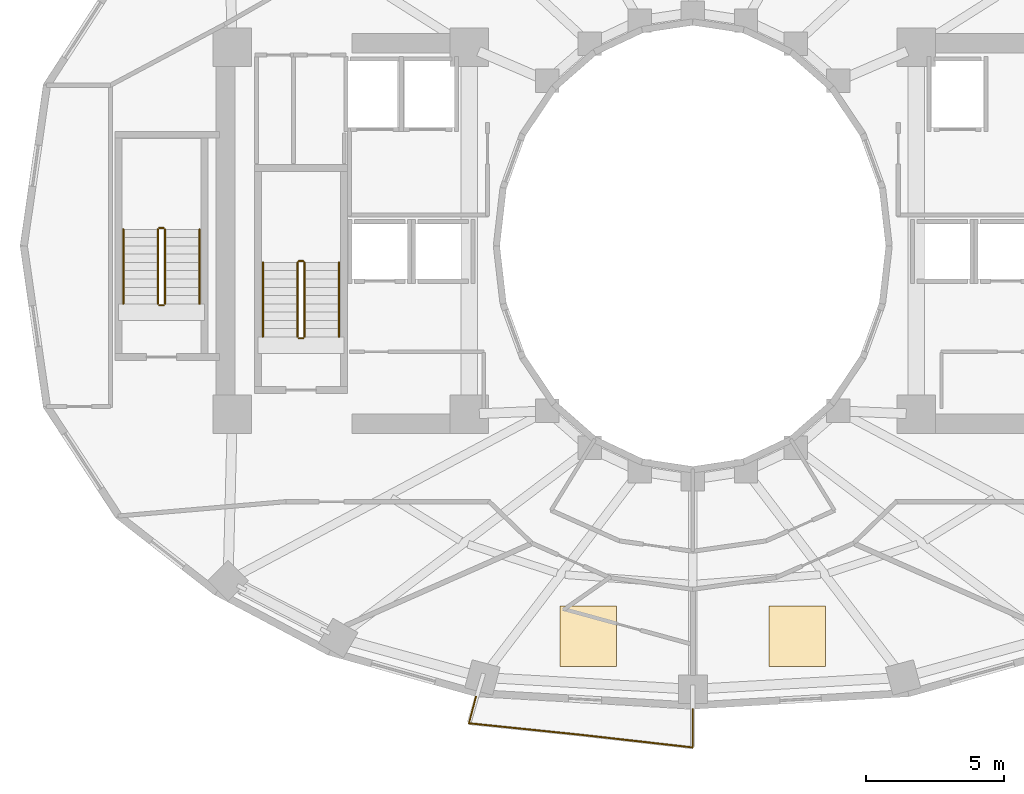
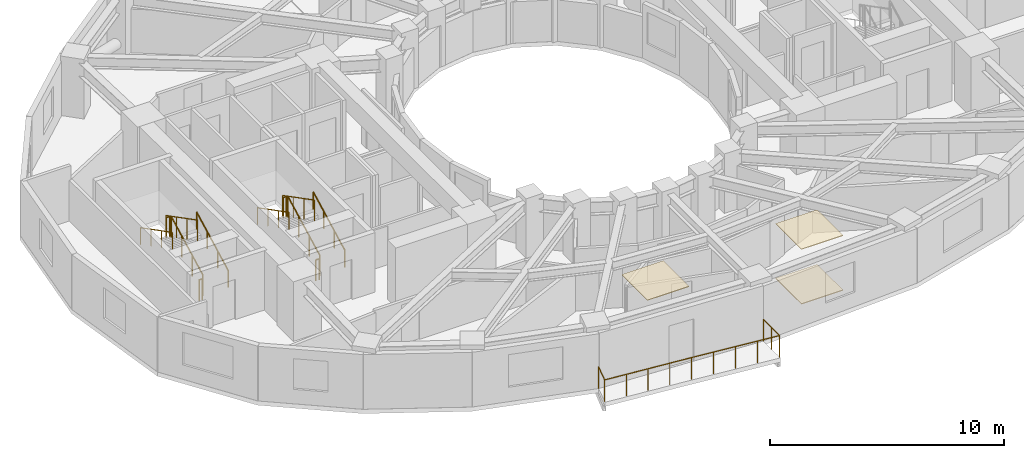
# One storey, part 8 of 9: 13 railings, 3 coverings.
"""IFC4 building model written with IfcOpenShell, lengths in metres."""

from ifc_helpers import new_model, si_unit, direction, frame, origin, origin_2d, place, context, subcontext, project, spatial, polyline, circle, outline, extrude, material, layer, layer_set, type_object, element, save


model = new_model("IFC4")

# Units and contexts
model_context = context("Model", 3, precision=1e-05, world=origin(), true_north=direction((0.0, 1.0)))
body_context = subcontext(model_context, "Body", "Model", "MODEL_VIEW")
ifc_project = project(units=[si_unit("LENGTHUNIT", "METRE"), si_unit("AREAUNIT", "SQUARE_METRE"), si_unit("VOLUMEUNIT", "CUBIC_METRE"), si_unit("PLANEANGLEUNIT", "RADIAN"), si_unit("MASSUNIT", "GRAM", prefix="KILO")], contexts=[model_context])

# Site, building, storey
site_placement = place(None, origin())
site = spatial("IfcSite", under=ifc_project, at=site_placement, CompositionType="ELEMENT")
building_placement = place(site_placement, origin())
building = spatial("IfcBuilding", under=site, at=building_placement, Name="Solvane Sanctuary Tower", CompositionType="ELEMENT")
storey_placement = place(building_placement, frame((0.0, 0.0, 116.60009765625)))
storey = spatial("IfcBuildingStorey", under=building, at=storey_placement, Name="L35", CompositionType="ELEMENT", Elevation=116.60009765625)

# Coverings
ifc_material_1 = material(Name="Acoustic Gypsum Partition Board")
ifc_layer_1 = layer(ifc_material_1, 0.02490234375, Name="Acoustic Gypsum Partition Board")
ifc_layer_set_1 = layer_set([ifc_layer_1], Name="Acoustic Gypsum Partition Board")
covering_type_1 = type_object("IfcCoveringType", Name="Covering CLG-ACOUST", PredefinedType="CEILING", material=ifc_layer_set_1)
covering_1_placement = place(storey_placement, frame((0.0, 0.0, 2.849853515625)))
element("IfcCovering", 1, at=covering_1_placement, inside=storey, type_object=covering_type_1, Name="L35 Unit Acoustic Ceiling Panel 3", PredefinedType="CEILING", context=body_context, shape_type="SweptSolid", body=[
    extrude(outline(polyline([(27.18310546875, 7.7490234375), (29.23291015625, 7.7490234375), (29.23291015625, 9.948974609375), (27.18310546875, 9.948974609375), (27.18310546875, 7.7490234375)])), origin(), (0.0, 0.0, 1.0), 0.030029296875),
])
covering_2_placement = place(storey_placement, frame((0.0, 0.0, 2.849853515625)))
element("IfcCovering", 2, at=covering_2_placement, inside=storey, type_object=covering_type_1, Name="L35 Unit Acoustic Ceiling Panel 4", PredefinedType="CEILING", context=body_context, shape_type="SweptSolid", body=[
    extrude(outline(polyline([(34.76708984375, 7.7490234375), (36.81689453125, 7.7490234375), (36.81689453125, 9.948974609375), (34.76708984375, 9.948974609375), (34.76708984375, 7.7490234375)])), origin(), (0.0, 0.0, 1.0), 0.030029296875),
])
ifc_material_2 = material(Name="Ceramic Tile Finish")
ifc_layer_2 = layer(ifc_material_2, 0.030029296875, Name="Ceramic Tile Finish")
ifc_layer_set_2 = layer_set([ifc_layer_2], Name="Ceramic Tile Finish")
covering_type_2 = type_object("IfcCoveringType", Name="Covering FLR-TERRAZZO", PredefinedType="FLOORING", material=ifc_layer_set_2)
covering_3_placement = place(storey_placement, origin())
element("IfcCovering", 3, at=covering_3_placement, inside=storey, type_object=covering_type_2, Name="L35 Unit Terrazzo Inlay 4", PredefinedType="FLOORING", context=body_context, shape_type="SweptSolid", body=[
    extrude(outline(polyline([(34.76708984375, 7.7490234375), (36.81689453125, 7.7490234375), (36.81689453125, 9.948974609375), (34.76708984375, 9.948974609375), (34.76708984375, 7.7490234375)])), origin(), (0.0, 0.0, 1.0), 0.034912109375),
])

# Railings
ifc_material_3 = material(Name="Architectural Stainless Steel 316", Category="steel")
railing_type_1 = type_object("IfcRailingType", Name="Railing GR-BALC-1150", PredefinedType="BALUSTRADE", material=ifc_material_3)
railing_1_placement = place(storey_placement, frame((24.138671875, 6.652587890625, 0.0)))
element("IfcRailing", 4, at=railing_1_placement, inside=storey, type_object=railing_type_1, Name="L35 Wave Balcony Balustrade SC", PredefinedType="BALUSTRADE", context=body_context, shape_type="SweptSolid", body=[
    extrude(circle(Radius=0.02392578125, at=origin_2d()), frame((0.0, 0.0, 1.1259765625), z_axis=(-0.258984165501, -0.965881567284, 0.0), x_axis=(0.965881567284, -0.258984165501, 0.0)), (0.0, 0.0, 1.0), 1.000244140625),
    extrude(circle(Radius=0.02392578125, at=origin_2d()), frame((-0.259033203125, -0.966064453125, 1.1259765625), z_axis=(0.994758245293, -0.102254747672, 0.0), x_axis=(0.102254747672, 0.994758245293, 0.0)), (0.0, 0.0, 1.0), 4.058837890625),
    extrude(circle(Radius=0.02392578125, at=origin_2d()), frame((3.778564453125, -1.381103515625, 1.1259765625), z_axis=(0.993674003622, -0.11230304771, 0.0), x_axis=(0.11230304771, 0.993674003622, 0.0)), (0.0, 0.0, 1.0), 4.108642578125),
    extrude(circle(Radius=0.02392578125, at=origin_2d()), frame((7.861328125, -1.842529296875, 1.1259765625), z_axis=(0.0, 1.0, 0.0), x_axis=(-1.0, 0.0, 0.0)), (0.0, 0.0, 1.0), 1.389892578125),
    extrude(circle(Radius=0.02099609375, at=origin_2d()), origin(), (0.0, 0.0, 1.0), 1.101806640625),
    extrude(circle(Radius=0.02099609375, at=origin_2d()), frame((-0.259033203125, -0.966064453125, 0.0)), (0.0, 0.0, 1.0), 1.101806640625),
    extrude(circle(Radius=0.02099609375, at=origin_2d()), frame((0.75048828125, -1.06982421875, 0.0)), (0.0, 0.0, 1.0), 1.101806640625),
    extrude(circle(Radius=0.02099609375, at=origin_2d()), frame((1.759765625, -1.173583984375, 0.0)), (0.0, 0.0, 1.0), 1.101806640625),
    extrude(circle(Radius=0.02099609375, at=origin_2d()), frame((2.76904296875, -1.27734375, 0.0)), (0.0, 0.0, 1.0), 1.101806640625),
    extrude(circle(Radius=0.02099609375, at=origin_2d()), frame((3.778564453125, -1.381103515625, 0.0)), (0.0, 0.0, 1.0), 1.101806640625),
    extrude(circle(Radius=0.02099609375, at=origin_2d()), frame((4.79931640625, -1.49658203125, 0.0)), (0.0, 0.0, 1.0), 1.101806640625),
    extrude(circle(Radius=0.02099609375, at=origin_2d()), frame((5.81982421875, -1.61181640625, 0.0)), (0.0, 0.0, 1.0), 1.101806640625),
    extrude(circle(Radius=0.02099609375, at=origin_2d()), frame((6.840576171875, -1.72705078125, 0.0)), (0.0, 0.0, 1.0), 1.101806640625),
    extrude(circle(Radius=0.02099609375, at=origin_2d()), frame((7.861328125, -1.842529296875, 0.0)), (0.0, 0.0, 1.0), 1.101806640625),
    extrude(circle(Radius=0.02099609375, at=origin_2d()), frame((7.861328125, -1.1474609375, 0.0)), (0.0, 0.0, 1.0), 1.101806640625),
    extrude(circle(Radius=0.02099609375, at=origin_2d()), frame((7.861328125, -0.45263671875, 0.0)), (0.0, 0.0, 1.0), 1.101806640625),
])
railing_2_placement = place(storey_placement, frame((17.919921875, 19.699951171875, 0.15478515625)))
element("IfcRailing", 5, at=railing_2_placement, inside=storey, type_object=railing_type_1, Name="L35 ST-1 stair guard 1", PredefinedType="BALUSTRADE", context=body_context, shape_type="SweptSolid", body=[
    extrude(circle(Radius=0.02392578125, at=origin_2d()), frame((0.0, 0.0, 1.076171875), z_axis=(0.0, 0.888419900624, 0.459031676658), x_axis=(-1.0, 0.0, 0.0)), (0.0, 0.0, 1.0), 3.0390625),
    extrude(circle(Radius=0.02099609375, at=origin_2d()), origin(), (0.0, 0.0, 1.0), 1.052001953125),
    extrude(circle(Radius=0.02099609375, at=origin_2d()), frame((0.0, 0.89990234375, 0.465087890625)), (0.0, 0.0, 1.0), 1.052001953125),
    extrude(circle(Radius=0.02099609375, at=origin_2d()), frame((0.0, 1.800048828125, 0.929931640625)), (0.0, 0.0, 1.0), 1.052001953125),
    extrude(circle(Radius=0.02099609375, at=origin_2d()), frame((0.0, 2.699951171875, 1.39501953125)), (0.0, 0.0, 1.0), 1.052001953125),
])
railing_3_placement = place(storey_placement, frame((17.8701171875, 22.449951171875, 1.5498046875)))
element("IfcRailing", 6, at=railing_3_placement, inside=storey, type_object=railing_type_1, Name="L35 ST-1 stair guard 2", PredefinedType="BALUSTRADE", context=body_context, shape_type="SweptSolid", body=[
    extrude(circle(Radius=0.02392578125, at=origin_2d()), frame((0.0, 0.0, 1.076171875), z_axis=(-1.0, 0.0, 0.0), x_axis=(0.0, -1.0, 0.0)), (0.0, 0.0, 1.0), 0.16015625),
    extrude(circle(Radius=0.02099609375, at=origin_2d()), origin(), (0.0, 0.0, 1.0), 1.052001953125),
    extrude(circle(Radius=0.02099609375, at=origin_2d()), frame((-0.16015625, 0.0, 0.0)), (0.0, 0.0, 1.0), 1.052001953125),
])
railing_4_placement = place(storey_placement, frame((17.659912109375, 22.39990234375, 1.704833984375)))
element("IfcRailing", 7, at=railing_4_placement, inside=storey, type_object=railing_type_1, Name="L35 ST-1 stair guard 3", PredefinedType="BALUSTRADE", context=body_context, shape_type="SweptSolid", body=[
    extrude(circle(Radius=0.02392578125, at=origin_2d()), frame((0.0, 0.0, 1.076171875), z_axis=(0.0, -0.888419900624, 0.459031676658), x_axis=(1.0, 0.0, 0.0)), (0.0, 0.0, 1.0), 3.0390625),
    extrude(circle(Radius=0.02099609375, at=origin_2d()), origin(), (0.0, 0.0, 1.0), 1.052001953125),
    extrude(circle(Radius=0.02099609375, at=origin_2d()), frame((0.0, -0.89990234375, 0.465087890625)), (0.0, 0.0, 1.0), 1.052001953125),
    extrude(circle(Radius=0.02099609375, at=origin_2d()), frame((0.0, -1.800048828125, 0.929931640625)), (0.0, 0.0, 1.0), 1.052001953125),
    extrude(circle(Radius=0.02099609375, at=origin_2d()), frame((0.0, -2.699951171875, 1.39501953125)), (0.0, 0.0, 1.0), 1.052001953125),
])
railing_5_placement = place(storey_placement, frame((17.8701171875, 19.64990234375, 0.0)))
element("IfcRailing", 8, at=railing_5_placement, inside=storey, type_object=railing_type_1, Name="L35 ST-1 stair guard 4", PredefinedType="BALUSTRADE", context=body_context, shape_type="SweptSolid", body=[
    extrude(circle(Radius=0.02392578125, at=origin_2d()), frame((0.0, 0.0, 1.076171875), z_axis=(-1.0, 0.0, 0.0), x_axis=(0.0, -1.0, 0.0)), (0.0, 0.0, 1.0), 0.16015625),
    extrude(circle(Radius=0.02099609375, at=origin_2d()), origin(), (0.0, 0.0, 1.0), 1.052001953125),
    extrude(circle(Radius=0.02099609375, at=origin_2d()), frame((-0.16015625, 0.0, 0.0)), (0.0, 0.0, 1.0), 1.052001953125),
])
railing_6_placement = place(storey_placement, frame((12.860107421875, 20.89990234375, 0.15478515625)))
element("IfcRailing", 9, at=railing_6_placement, inside=storey, type_object=railing_type_1, Name="L35 ST-3 stair guard 1", PredefinedType="BALUSTRADE", context=body_context, shape_type="SweptSolid", body=[
    extrude(circle(Radius=0.02392578125, at=origin_2d()), frame((0.0, 0.0, 1.076171875), z_axis=(0.0, 0.888436826113, 0.458998917216), x_axis=(-1.0, 0.0, 0.0)), (0.0, 0.0, 1.0), 3.039306640625),
    extrude(circle(Radius=0.02099609375, at=origin_2d()), origin(), (0.0, 0.0, 1.0), 1.052001953125),
    extrude(circle(Radius=0.02099609375, at=origin_2d()), frame((0.0, 0.900146484375, 0.465087890625)), (0.0, 0.0, 1.0), 1.052001953125),
    extrude(circle(Radius=0.02099609375, at=origin_2d()), frame((0.0, 1.800048828125, 0.929931640625)), (0.0, 0.0, 1.0), 1.052001953125),
    extrude(circle(Radius=0.02099609375, at=origin_2d()), frame((0.0, 2.7001953125, 1.39501953125)), (0.0, 0.0, 1.0), 1.052001953125),
])
railing_7_placement = place(storey_placement, frame((12.81005859375, 23.64990234375, 1.5498046875)))
element("IfcRailing", 10, at=railing_7_placement, inside=storey, type_object=railing_type_1, Name="L35 ST-3 stair guard 2", PredefinedType="BALUSTRADE", context=body_context, shape_type="SweptSolid", body=[
    extrude(circle(Radius=0.02392578125, at=origin_2d()), frame((0.0, 0.0, 1.076171875), z_axis=(-1.0, 0.0, 0.0), x_axis=(0.0, -1.0, 0.0)), (0.0, 0.0, 1.0), 0.16015625),
    extrude(circle(Radius=0.02099609375, at=origin_2d()), origin(), (0.0, 0.0, 1.0), 1.052001953125),
    extrude(circle(Radius=0.02099609375, at=origin_2d()), frame((-0.16015625, 0.0, 0.0)), (0.0, 0.0, 1.0), 1.052001953125),
])
railing_8_placement = place(storey_placement, frame((12.60009765625, 23.60009765625, 1.704833984375)))
element("IfcRailing", 11, at=railing_8_placement, inside=storey, type_object=railing_type_1, Name="L35 ST-3 stair guard 3", PredefinedType="BALUSTRADE", context=body_context, shape_type="SweptSolid", body=[
    extrude(circle(Radius=0.02392578125, at=origin_2d()), frame((0.0, 0.0, 1.076171875), z_axis=(0.0, -0.888436826113, 0.458998917216), x_axis=(1.0, 0.0, 0.0)), (0.0, 0.0, 1.0), 3.039306640625),
    extrude(circle(Radius=0.02099609375, at=origin_2d()), origin(), (0.0, 0.0, 1.0), 1.052001953125),
    extrude(circle(Radius=0.02099609375, at=origin_2d()), frame((0.0, -0.900146484375, 0.465087890625)), (0.0, 0.0, 1.0), 1.052001953125),
    extrude(circle(Radius=0.02099609375, at=origin_2d()), frame((0.0, -1.800048828125, 0.929931640625)), (0.0, 0.0, 1.0), 1.052001953125),
    extrude(circle(Radius=0.02099609375, at=origin_2d()), frame((0.0, -2.7001953125, 1.39501953125)), (0.0, 0.0, 1.0), 1.052001953125),
])
railing_9_placement = place(storey_placement, frame((12.81005859375, 20.85009765625, 0.0)))
element("IfcRailing", 12, at=railing_9_placement, inside=storey, type_object=railing_type_1, Name="L35 ST-3 stair guard 4", PredefinedType="BALUSTRADE", context=body_context, shape_type="SweptSolid", body=[
    extrude(circle(Radius=0.02392578125, at=origin_2d()), frame((0.0, 0.0, 1.076171875), z_axis=(-1.0, 0.0, 0.0), x_axis=(0.0, -1.0, 0.0)), (0.0, 0.0, 1.0), 0.16015625),
    extrude(circle(Radius=0.02099609375, at=origin_2d()), origin(), (0.0, 0.0, 1.0), 1.052001953125),
    extrude(circle(Radius=0.02099609375, at=origin_2d()), frame((-0.16015625, 0.0, 0.0)), (0.0, 0.0, 1.0), 1.052001953125),
])
railing_type_2 = type_object("IfcRailingType", Name="Railing HR-STAIR-920", PredefinedType="HANDRAIL", material=ifc_material_3)
railing_10_placement = place(storey_placement, frame((19.169921875, 19.699951171875, 0.15478515625)))
element("IfcRailing", 13, at=railing_10_placement, inside=storey, type_object=railing_type_2, Name="L35 ST-1 stair handrail 1", PredefinedType="HANDRAIL", context=body_context, shape_type="SweptSolid", body=[
    extrude(circle(Radius=0.02392578125, at=origin_2d()), frame((0.0, 0.0, 0.8759765625), z_axis=(0.0, 0.888419900624, 0.459031676658), x_axis=(-1.0, 0.0, 0.0)), (0.0, 0.0, 1.0), 3.0390625),
    extrude(circle(Radius=0.02099609375, at=origin_2d()), origin(), (0.0, 0.0, 1.0), 0.851806640625),
    extrude(circle(Radius=0.02099609375, at=origin_2d()), frame((0.0, 0.89990234375, 0.465087890625)), (0.0, 0.0, 1.0), 0.851806640625),
    extrude(circle(Radius=0.02099609375, at=origin_2d()), frame((0.0, 1.800048828125, 0.929931640625)), (0.0, 0.0, 1.0), 0.851806640625),
    extrude(circle(Radius=0.02099609375, at=origin_2d()), frame((0.0, 2.699951171875, 1.39501953125)), (0.0, 0.0, 1.0), 0.851806640625),
])
railing_11_placement = place(storey_placement, frame((16.409912109375, 22.39990234375, 1.704833984375)))
element("IfcRailing", 14, at=railing_11_placement, inside=storey, type_object=railing_type_2, Name="L35 ST-1 stair handrail 2", PredefinedType="HANDRAIL", context=body_context, shape_type="SweptSolid", body=[
    extrude(circle(Radius=0.02392578125, at=origin_2d()), frame((0.0, 0.0, 0.8759765625), z_axis=(0.0, -0.888419900624, 0.459031676658), x_axis=(1.0, 0.0, 0.0)), (0.0, 0.0, 1.0), 3.0390625),
    extrude(circle(Radius=0.02099609375, at=origin_2d()), origin(), (0.0, 0.0, 1.0), 0.851806640625),
    extrude(circle(Radius=0.02099609375, at=origin_2d()), frame((0.0, -0.89990234375, 0.465087890625)), (0.0, 0.0, 1.0), 0.851806640625),
    extrude(circle(Radius=0.02099609375, at=origin_2d()), frame((0.0, -1.800048828125, 0.929931640625)), (0.0, 0.0, 1.0), 0.851806640625),
    extrude(circle(Radius=0.02099609375, at=origin_2d()), frame((0.0, -2.699951171875, 1.39501953125)), (0.0, 0.0, 1.0), 0.851806640625),
])
railing_12_placement = place(storey_placement, frame((14.110107421875, 20.89990234375, 0.15478515625)))
element("IfcRailing", 15, at=railing_12_placement, inside=storey, type_object=railing_type_2, Name="L35 ST-3 stair handrail 1", PredefinedType="HANDRAIL", context=body_context, shape_type="SweptSolid", body=[
    extrude(circle(Radius=0.02392578125, at=origin_2d()), frame((0.0, 0.0, 0.8759765625), z_axis=(0.0, 0.888436826113, 0.458998917216), x_axis=(-1.0, 0.0, 0.0)), (0.0, 0.0, 1.0), 3.039306640625),
    extrude(circle(Radius=0.02099609375, at=origin_2d()), origin(), (0.0, 0.0, 1.0), 0.851806640625),
    extrude(circle(Radius=0.02099609375, at=origin_2d()), frame((0.0, 0.900146484375, 0.465087890625)), (0.0, 0.0, 1.0), 0.851806640625),
    extrude(circle(Radius=0.02099609375, at=origin_2d()), frame((0.0, 1.800048828125, 0.929931640625)), (0.0, 0.0, 1.0), 0.851806640625),
    extrude(circle(Radius=0.02099609375, at=origin_2d()), frame((0.0, 2.7001953125, 1.39501953125)), (0.0, 0.0, 1.0), 0.851806640625),
])
railing_13_placement = place(storey_placement, frame((11.35009765625, 23.60009765625, 1.704833984375)))
element("IfcRailing", 16, at=railing_13_placement, inside=storey, type_object=railing_type_2, Name="L35 ST-3 stair handrail 2", PredefinedType="HANDRAIL", context=body_context, shape_type="SweptSolid", body=[
    extrude(circle(Radius=0.02392578125, at=origin_2d()), frame((0.0, 0.0, 0.8759765625), z_axis=(0.0, -0.888436826113, 0.458998917216), x_axis=(1.0, 0.0, 0.0)), (0.0, 0.0, 1.0), 3.039306640625),
    extrude(circle(Radius=0.02099609375, at=origin_2d()), origin(), (0.0, 0.0, 1.0), 0.851806640625),
    extrude(circle(Radius=0.02099609375, at=origin_2d()), frame((0.0, -0.900146484375, 0.465087890625)), (0.0, 0.0, 1.0), 0.851806640625),
    extrude(circle(Radius=0.02099609375, at=origin_2d()), frame((0.0, -1.800048828125, 0.929931640625)), (0.0, 0.0, 1.0), 0.851806640625),
    extrude(circle(Radius=0.02099609375, at=origin_2d()), frame((0.0, -2.7001953125, 1.39501953125)), (0.0, 0.0, 1.0), 0.851806640625),
])

save(model, "model.ifc")
